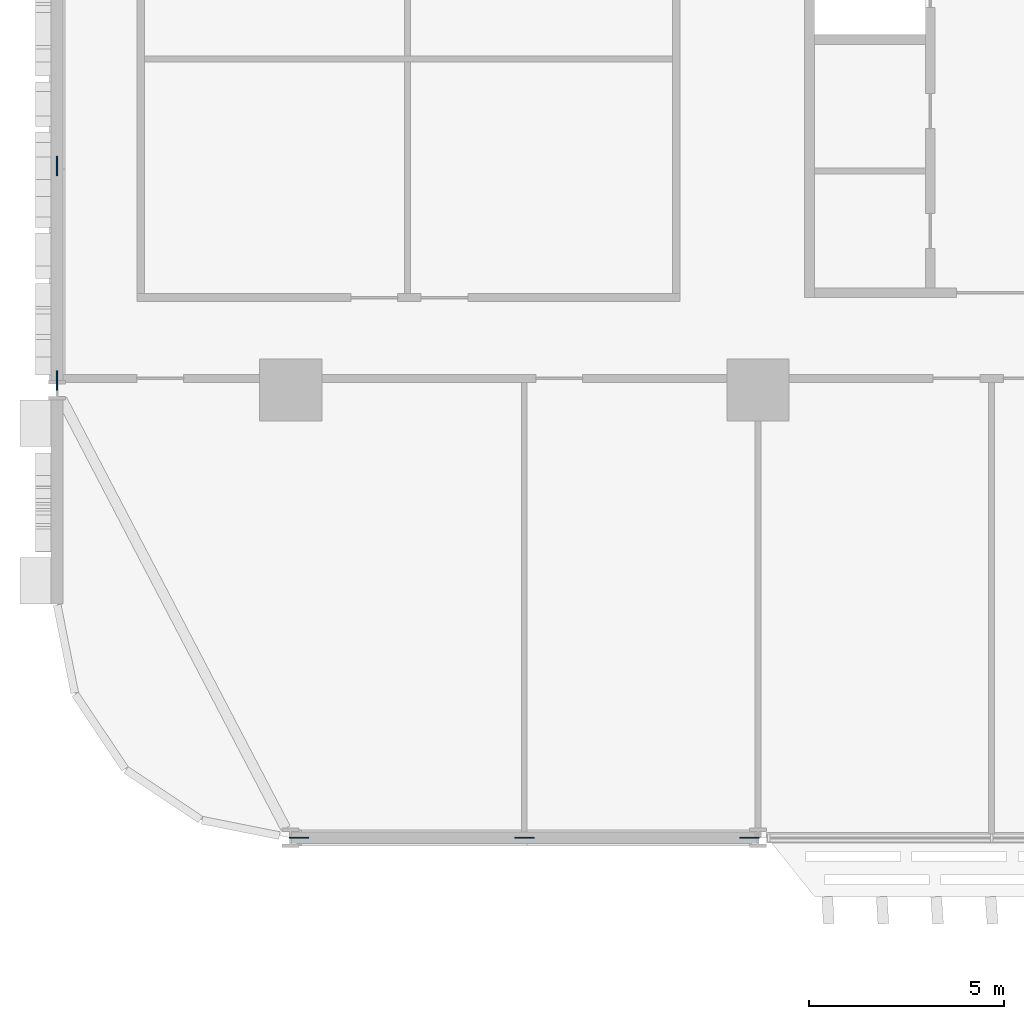
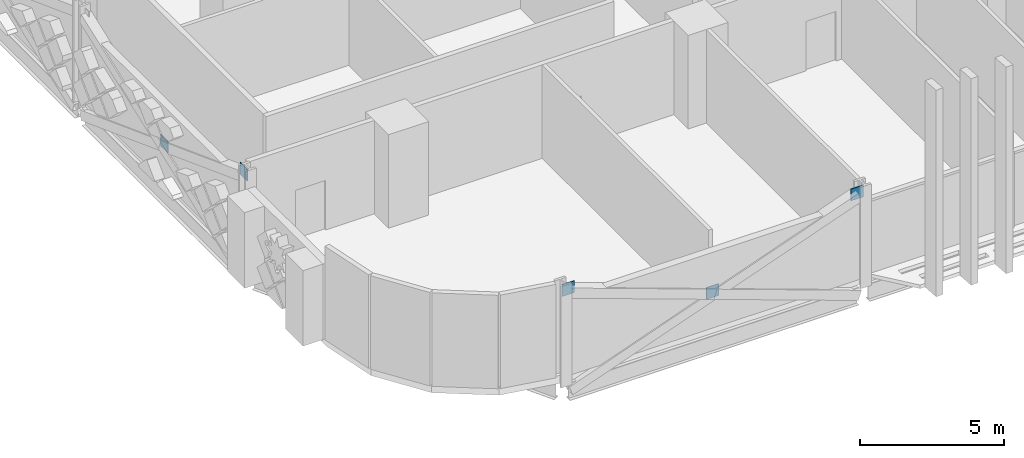
# One storey, part 17 of 31: 5 discrete accessories.
"""IFC4 building model written with IfcOpenShell, lengths in metres."""

import ifcopenshell
import ifcopenshell.guid

model = None  # the IFC model being written
_history = None  # IfcOwnerHistory: only IFC2X3 demands one
_inside = {}  # id of a spatial element -> (the spatial element, [elements in it])
_under = {}  # id of a project, library or spatial element -> (it, [spatial elements below it])
_declared = {}  # id of a project -> (the project, [libraries it declares])
_typed = {}  # id of a type object -> (the type object, [elements of that type])
_made_of = {}  # id of a material, layer set ... -> (it, [elements and type objects made of it])


def new_model(schema):
    """Start an empty IFC model of exactly this schema.

    Asked for "IFC4X3", IfcOpenShell would pick the latest addendum, in which some entities
    have other attributes; the version numbers below select the first issue.
    IFC2X3 requires an IfcOwnerHistory on every rooted entity: one is made here for all.
    """
    global model, _history
    if schema == "IFC4X3":
        model = ifcopenshell.file(schema_version=(4, 3, 0, 0))
    else:
        model = ifcopenshell.file(schema=schema)
    _inside.clear()
    _under.clear()
    _declared.clear()
    _typed.clear()
    _made_of.clear()
    _history = None
    if model.schema == "IFC2X3":
        org = make("IfcOrganization", Name="unknown")
        user = make(
            "IfcPersonAndOrganization",
            ThePerson=make("IfcPerson", FamilyName="unknown"),
            TheOrganization=org,
        )
        app = make(
            "IfcApplication",
            ApplicationDeveloper=org,
            Version="unknown",
            ApplicationFullName="unknown",
            ApplicationIdentifier="unknown",
        )
        _history = make(
            "IfcOwnerHistory",
            OwningUser=user,
            OwningApplication=app,
            ChangeAction="ADDED",
            CreationDate=0,
        )
    return model


def make(cls, **values):
    """One entity of the class cls with the attributes given. An attribute that is None is left unset."""
    return model.create_entity(
        cls, **{name: value for name, value in values.items() if value is not None}
    )


def rooted(cls, **values):
    """An entity with a GlobalId (a new one), such as an element, a storey or a relation."""
    return make(cls, GlobalId=ifcopenshell.guid.new(), OwnerHistory=_history, **values)


def si_unit(unit_type, name, prefix=None):
    """IfcSIUnit, for example si_unit("LENGTHUNIT", "METRE", prefix="MILLI")."""
    return make("IfcSIUnit", UnitType=unit_type, Prefix=prefix, Name=name)


def assignment(units):
    """IfcUnitAssignment: the units of a project."""
    return None if units is None else make("IfcUnitAssignment", Units=units)


def point(xyz):
    """IfcCartesianPoint."""
    return None if xyz is None else make("IfcCartesianPoint", Coordinates=xyz)


def direction(xyz):
    """IfcDirection."""
    return None if xyz is None else make("IfcDirection", DirectionRatios=xyz)


def frame(location, z_axis=None, x_axis=None):
    """IfcAxis2Placement3D, a coordinate frame: its origin and axes. An axis left out is left unset."""
    return make(
        "IfcAxis2Placement3D",
        Location=point(location),
        Axis=direction(z_axis),
        RefDirection=direction(x_axis),
    )


def frame_2d(location, x_axis=None):
    """IfcAxis2Placement2D, a coordinate frame in the plane: its origin and x axis."""
    return make(
        "IfcAxis2Placement2D", Location=point(location), RefDirection=direction(x_axis)
    )


def origin():
    """The frame at (0, 0, 0) with its axes left unset."""
    return frame((0.0, 0.0, 0.0))


def origin_2d():
    """The frame at (0, 0) in the plane with its x axis left unset."""
    return frame_2d((0.0, 0.0))


def place(relative_to, where):
    """IfcLocalPlacement: puts the frame where relative to a parent placement (None: the world)."""
    return make(
        "IfcLocalPlacement", PlacementRelTo=relative_to, RelativePlacement=where
    )


def context(
    kind, dimensions, precision=None, world=None, true_north=None, identifier=None
):
    """IfcGeometricRepresentationContext, for example the 3D "Model" context."""
    return make(
        "IfcGeometricRepresentationContext",
        ContextIdentifier=identifier,
        ContextType=kind,
        CoordinateSpaceDimension=dimensions,
        Precision=precision,
        WorldCoordinateSystem=world,
        TrueNorth=true_north,
    )


def subcontext(parent, identifier, kind, view, scale=None):
    """IfcGeometricRepresentationSubContext, for example "Body" below "Model"."""
    return make(
        "IfcGeometricRepresentationSubContext",
        ContextIdentifier=identifier,
        ContextType=kind,
        ParentContext=parent,
        TargetScale=scale,
        TargetView=view,
    )


def project(units=None, contexts=None):
    """IfcProject with its units and contexts."""
    return rooted(
        "IfcProject",
        Name="project",
        RepresentationContexts=contexts,
        UnitsInContext=assignment(units),
    )


def spatial(cls, under=None, at=None, **own):
    """A site, building, storey or space (cls), placed at a placement, below another one or the project."""
    s = rooted(cls, ObjectPlacement=at, **own)
    if under is not None:
        _under.setdefault(under.id(), (under, []))[1].append(s)
    return s


def profile(cls, at=None, kind="AREA", **sizes):
    """A parametric profile (cls). Its sizes go by their IFC names, for example OverallWidth=200.0."""
    return make(cls, ProfileType=kind, Position=at, **sizes)


def rectangle(**sizes):
    """IfcRectangleProfileDef."""
    return profile("IfcRectangleProfileDef", **sizes)


def extrude(swept, where, along, depth):
    """IfcExtrudedAreaSolid: the profile swept, set in the frame where, extruded along a direction by depth."""
    return make(
        "IfcExtrudedAreaSolid",
        SweptArea=swept,
        Position=where,
        ExtrudedDirection=direction(along),
        Depth=depth,
    )


def shape(context_of_items, identifier, shape_type, items):
    """IfcShapeRepresentation: the items that make up one representation, for example the "Body"."""
    return make(
        "IfcShapeRepresentation",
        ContextOfItems=context_of_items,
        RepresentationIdentifier=identifier,
        RepresentationType=shape_type,
        Items=items,
    )


def material(Name=None, Category=None):
    """IfcMaterial."""
    return make("IfcMaterial", Name=Name, Category=Category)


def layer(
    of_material, thickness, ventilated=None, Name=None, Category=None, Priority=None
):
    """IfcMaterialLayer: one layer of a wall or slab, of a material (None: an air gap)."""
    return make(
        "IfcMaterialLayer",
        Material=of_material,
        LayerThickness=thickness,
        IsVentilated=ventilated,
        Name=Name,
        Category=Category,
        Priority=Priority,
    )


def layer_set(layers, Name=None):
    """IfcMaterialLayerSet."""
    return make("IfcMaterialLayerSet", MaterialLayers=layers, LayerSetName=Name)


def made_of(thing, what):
    """Note that an element or type object is made of a material, layer set ...; save() writes the relation."""
    if what is not None:
        _made_of.setdefault(what.id(), (what, []))[1].append(thing)
    return thing


def type_object(cls, material=None, **own):
    """A type object (cls), such as IfcWallType, which elements share."""
    return made_of(rooted(cls, **own), material)


def element(
    cls,
    number,
    at=None,
    inside=None,
    cuts=None,
    type_object=None,
    material=None,
    context=None,
    identifier="Body",
    shape_type=None,
    held_by="IfcProductDefinitionShape",
    body=None,
    shapes=None,
    **own,
):
    """One element of the class cls, such as IfcWall. Its Tag is "e" and its number.

    at: its placement. inside: the storey or other place that contains it. cuts: it is an
    opening in that element (IfcRelVoidsElement). A single representation is given by context,
    identifier, shape_type and body (its items); several are given by shapes. held_by: the class
    of the entity that holds the representations. save() writes the other relations.
    """
    e = rooted(cls, Tag="e%d" % number, ObjectPlacement=at, **own)
    if body is not None:
        shapes = [shape(context, identifier, shape_type, body)]
    if shapes is not None:
        e.Representation = make(held_by, Representations=shapes)
    if inside is not None:
        _inside.setdefault(inside.id(), (inside, []))[1].append(e)
    if cuts is not None:
        rooted(
            "IfcRelVoidsElement", RelatingBuildingElement=cuts, RelatedOpeningElement=e
        )
    if type_object is not None:
        _typed.setdefault(type_object.id(), (type_object, []))[1].append(e)
    return made_of(e, material)


def aggregate(whole, parts):
    """IfcRelAggregates: a whole, such as a stair, and the parts it consists of."""
    return rooted("IfcRelAggregates", RelatingObject=whole, RelatedObjects=parts)


def save(model, path):
    """Write the relations noted so far, then the file.

    IfcRelAggregates (storeys below a building ...), IfcRelContainedInSpatialStructure (elements
    in a storey), IfcRelDefinesByType, IfcRelAssociatesMaterial and IfcRelDeclares: one each for
    every whole, place, type object, material and project.
    """
    for whole, parts in _under.values():
        aggregate(whole, parts)
    for where, things in _inside.values():
        rooted(
            "IfcRelContainedInSpatialStructure",
            RelatedElements=things,
            RelatingStructure=where,
        )
    for kind, things in _typed.values():
        rooted("IfcRelDefinesByType", RelatedObjects=things, RelatingType=kind)
    for what, things in _made_of.values():
        rooted("IfcRelAssociatesMaterial", RelatedObjects=things, RelatingMaterial=what)
    for by, libraries in _declared.values():
        rooted("IfcRelDeclares", RelatingContext=by, RelatedDefinitions=libraries)
    model.write(path)


model = new_model("IFC4")

# Units and contexts
model_context = context("Model", 3, precision=1e-05, world=origin(), true_north=direction((0.0, 1.0)))
body_context = subcontext(model_context, "Body", "Model", "MODEL_VIEW")
ifc_project = project(units=[si_unit("LENGTHUNIT", "METRE"), si_unit("AREAUNIT", "SQUARE_METRE"), si_unit("VOLUMEUNIT", "CUBIC_METRE"), si_unit("PLANEANGLEUNIT", "RADIAN"), si_unit("MASSUNIT", "GRAM", prefix="KILO")], contexts=[model_context])

# Site, building, storey
site_placement = place(None, origin())
site = spatial("IfcSite", under=ifc_project, at=site_placement, CompositionType="ELEMENT")
building_placement = place(site_placement, origin())
building = spatial("IfcBuilding", under=site, at=building_placement, Name="Mahtab Terrace Research Tower", CompositionType="ELEMENT")
storey_placement = place(building_placement, frame((0.0, 0.0, 11.5)))
storey = spatial("IfcBuildingStorey", under=building, at=storey_placement, Name="L02", CompositionType="ELEMENT", Elevation=11.5)

# Discrete accessories
ifc_material = material(Name="Steel ASTM A992 Gr 50", Category="steel")
ifc_layer = layer(ifc_material, 0.030029296875)
ifc_layer_set = layer_set([ifc_layer], Name="Gusset plate 500x500x30")
discrete_accessory_type = type_object("IfcDiscreteAccessoryType", Name="Gusset plate 500x500x30", PredefinedType="USERDEFINED", material=ifc_layer_set)
for number, where, z_axis, x_axis, name in (
    (1, (-41.7841796875, -23.0, 3.33154296875), (0.0, 0.0, 1.0), (1.0, 0.0, 0.0), "Gusset plate"),
    (2, (-36.0, -23.0, 1.181640625), (0.0, 0.0, 1.0), (1.0, 0.0, 0.0), "Gusset plate"),
    (3, (-30.2158203125, -23.0, 3.33154296875), (0.0, 0.0, 1.0), (1.0, 0.0, 0.0), "Gusset plate"),
    (4, (-48.0, -11.251220703125, 3.33154296875), (0.0, 0.0, 1.0), (0.0, 1.0, 0.0), "Gusset plate"),
    (5, (-48.0, -5.75, 1.181396484375), (0.0, 0.0, 1.0), (0.0, 1.0, 0.0), "Gusset plate"),
):
    element("IfcDiscreteAccessory", number, at=place(storey_placement, frame(where, z_axis=z_axis, x_axis=x_axis)), inside=storey, type_object=discrete_accessory_type, Name=name, ObjectType="GUSSET PLATE", PredefinedType="USERDEFINED", context=body_context, shape_type="SweptSolid", body=[
        extrude(rectangle(XDim=0.5, YDim=0.030029296875, at=origin_2d()), origin(), (0.0, 0.0, 1.0), 0.5),
    ])

save(model, "model.ifc")
